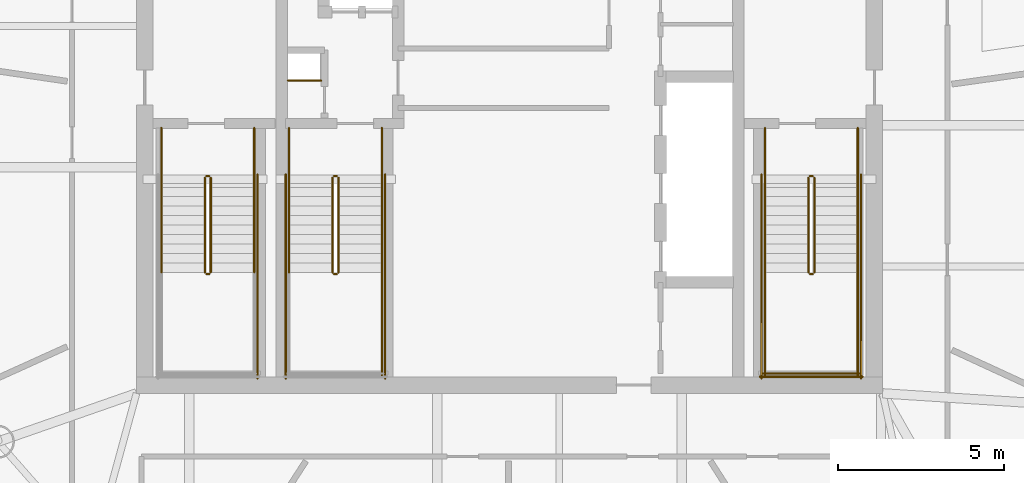
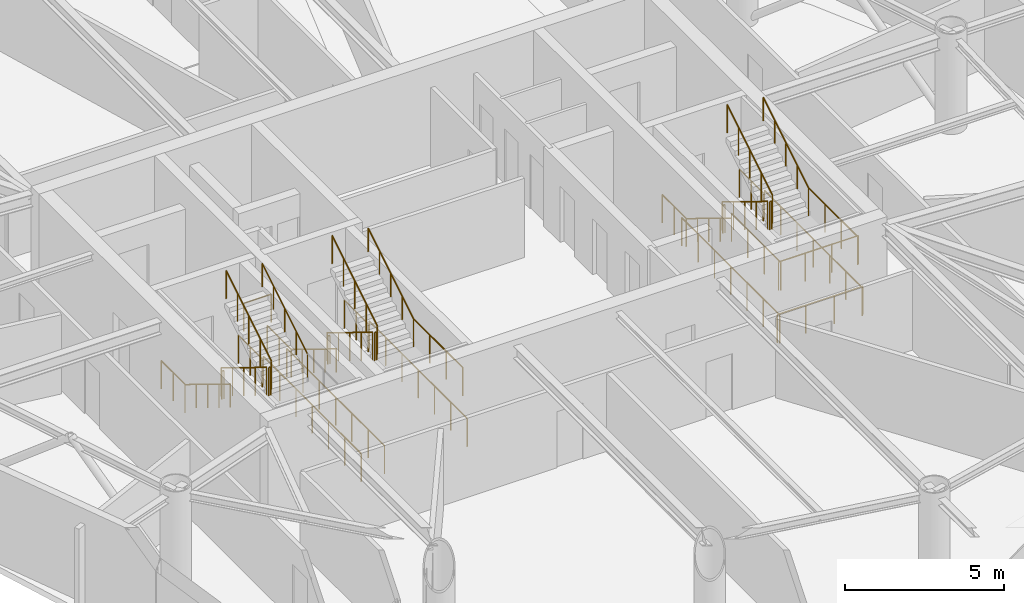
# One storey, part 19 of 20: 35 railings.
"""IFC4 building model written with IfcOpenShell, lengths in metres."""

from ifc_helpers import new_model, si_unit, direction, frame, origin, origin_2d, place, context, subcontext, project, spatial, circle, extrude, material, type_object, element, save


model = new_model("IFC4")

# Units and contexts
model_context = context("Model", 3, precision=1e-05, world=origin(), true_north=direction((0.0, 1.0)))
body_context = subcontext(model_context, "Body", "Model", "MODEL_VIEW")
ifc_project = project(units=[si_unit("LENGTHUNIT", "METRE"), si_unit("AREAUNIT", "SQUARE_METRE"), si_unit("VOLUMEUNIT", "CUBIC_METRE"), si_unit("PLANEANGLEUNIT", "RADIAN"), si_unit("MASSUNIT", "GRAM", prefix="KILO")], contexts=[model_context])

# Site, building, storey
site_placement = place(None, origin())
site = spatial("IfcSite", under=ifc_project, at=site_placement, CompositionType="ELEMENT")
building_placement = place(site_placement, origin())
building = spatial("IfcBuilding", under=site, at=building_placement, Name="Bramvorn Convention Spire", CompositionType="ELEMENT")
storey_placement = place(building_placement, frame((0.0, 0.0, 276.699951171875)))
storey = spatial("IfcBuildingStorey", under=building, at=storey_placement, Name="L70", CompositionType="ELEMENT", Elevation=276.699951171875)

# Railings
ifc_material_1 = material(Name="Painted Steel Balustrade & Guardrail", Category="steel")
railing_type_1 = type_object("IfcRailingType", Name="RL-STAIR-GUARD-1100", PredefinedType="GUARDRAIL", material=ifc_material_1)
railing_1_placement = place(storey_placement, frame((28.81005859375, 25.050048828125, 0.175048828125)))
element("IfcRailing", 1, at=railing_1_placement, inside=storey, type_object=railing_type_1, Name="L70 ST1 stair guard 1", PredefinedType="GUARDRAIL", context=body_context, shape_type="SweptSolid", body=[
    extrude(circle(Radius=0.02392578125, at=origin_2d()), frame((0.0, 0.0, 1.076171875), z_axis=(0.0, -0.852179220489, 0.52325001306), x_axis=(1.0, 0.0, 0.0)), (0.0, 0.0, 1.0), 3.344482421875),
    extrude(circle(Radius=0.02099609375, at=origin_2d()), origin(), (0.0, 0.0, 1.0), 1.052001953125),
    extrude(circle(Radius=0.02099609375, at=origin_2d()), frame((0.0, -0.71240234375, 0.4375)), (0.0, 0.0, 1.0), 1.052001953125),
    extrude(circle(Radius=0.02099609375, at=origin_2d()), frame((0.0, -1.425048828125, 0.875)), (0.0, 0.0, 1.0), 1.052001953125),
    extrude(circle(Radius=0.02099609375, at=origin_2d()), frame((0.0, -2.1376953125, 1.3125)), (0.0, 0.0, 1.0), 1.052001953125),
    extrude(circle(Radius=0.02099609375, at=origin_2d()), frame((0.0, -2.85009765625, 1.75)), (0.0, 0.0, 1.0), 1.052001953125),
])
railing_2_placement = place(storey_placement, frame((28.860107421875, 22.14990234375, 1.925048828125)))
element("IfcRailing", 2, at=railing_2_placement, inside=storey, type_object=railing_type_1, Name="L70 ST1 stair guard 2", PredefinedType="GUARDRAIL", context=body_context, shape_type="SweptSolid", body=[
    extrude(circle(Radius=0.02392578125, at=origin_2d()), frame((0.0, 0.0, 1.076171875), z_axis=(1.0, 0.0, 0.0), x_axis=(0.0, 1.0, 0.0)), (0.0, 0.0, 1.0), 0.079833984375),
    extrude(circle(Radius=0.02099609375, at=origin_2d()), origin(), (0.0, 0.0, 1.0), 1.052001953125),
    extrude(circle(Radius=0.02099609375, at=origin_2d()), frame((0.079833984375, 0.0, 0.0)), (0.0, 0.0, 1.0), 1.052001953125),
])
railing_3_placement = place(storey_placement, frame((28.989990234375, 22.199951171875, 2.10009765625)))
element("IfcRailing", 3, at=railing_3_placement, inside=storey, type_object=railing_type_1, Name="L70 ST1 stair guard 6", PredefinedType="GUARDRAIL", context=body_context, shape_type="SweptSolid", body=[
    extrude(circle(Radius=0.02392578125, at=origin_2d()), frame((0.0, 0.0, 1.076171875), z_axis=(0.0, 0.852179220489, 0.52325001306), x_axis=(-1.0, 0.0, 0.0)), (0.0, 0.0, 1.0), 3.344482421875),
    extrude(circle(Radius=0.02099609375, at=origin_2d()), origin(), (0.0, 0.0, 1.0), 1.052001953125),
    extrude(circle(Radius=0.02099609375, at=origin_2d()), frame((0.0, 0.71240234375, 0.4375)), (0.0, 0.0, 1.0), 1.052001953125),
    extrude(circle(Radius=0.02099609375, at=origin_2d()), frame((0.0, 1.425048828125, 0.875)), (0.0, 0.0, 1.0), 1.052001953125),
    extrude(circle(Radius=0.02099609375, at=origin_2d()), frame((0.0, 2.1376953125, 1.3125)), (0.0, 0.0, 1.0), 1.052001953125),
    extrude(circle(Radius=0.02099609375, at=origin_2d()), frame((0.0, 2.85009765625, 1.75)), (0.0, 0.0, 1.0), 1.052001953125),
])
railing_4_placement = place(storey_placement, frame((28.860107421875, 25.10009765625, 0.0)))
element("IfcRailing", 4, at=railing_4_placement, inside=storey, type_object=railing_type_1, Name="L70 ST1 stair guard 7", PredefinedType="GUARDRAIL", context=body_context, shape_type="SweptSolid", body=[
    extrude(circle(Radius=0.02392578125, at=origin_2d()), frame((0.0, 0.0, 1.076171875), z_axis=(1.0, 0.0, 0.0), x_axis=(0.0, 1.0, 0.0)), (0.0, 0.0, 1.0), 0.079833984375),
    extrude(circle(Radius=0.02099609375, at=origin_2d()), origin(), (0.0, 0.0, 1.0), 1.052001953125),
    extrude(circle(Radius=0.02099609375, at=origin_2d()), frame((0.079833984375, 0.0, 0.0)), (0.0, 0.0, 1.0), 1.052001953125),
])
for number, where, name in (
    (5, (27.5, 26.550048828125, 0.0), "L70 ST1 stair guard 8"),
    (6, (30.300048828125, 26.550048828125, 0.0), "L70 ST1 stair guard 9"),
):
    element("IfcRailing", number, at=place(storey_placement, frame(where)), inside=storey, type_object=railing_type_1, Name=name, PredefinedType="GUARDRAIL", context=body_context, shape_type="SweptSolid", body=[
        extrude(circle(Radius=0.02392578125, at=origin_2d()), frame((0.0, 0.0, 1.076171875), z_axis=(0.0, -1.0, 0.0), x_axis=(1.0, 0.0, 0.0)), (0.0, 0.0, 1.0), 1.5),
        extrude(circle(Radius=0.02099609375, at=origin_2d()), origin(), (0.0, 0.0, 1.0), 1.052001953125),
        extrude(circle(Radius=0.02099609375, at=origin_2d()), frame((0.0, -0.75, 0.0)), (0.0, 0.0, 1.0), 1.052001953125),
        extrude(circle(Radius=0.02099609375, at=origin_2d()), frame((0.0, -1.5, 0.0)), (0.0, 0.0, 1.0), 1.052001953125),
    ])
railing_5_placement = place(storey_placement, frame((30.39990234375, 25.14990234375, 0.0)))
element("IfcRailing", 7, at=railing_5_placement, inside=storey, type_object=railing_type_1, Name="L70 ST1 stair guard 11", PredefinedType="GUARDRAIL", context=body_context, shape_type="SweptSolid", body=[
    extrude(circle(Radius=0.02392578125, at=origin_2d()), frame((0.0, 0.0, 1.076171875), z_axis=(0.0, -1.0, 0.0), x_axis=(1.0, 0.0, 0.0)), (0.0, 0.0, 1.0), 6.14990234375),
    extrude(circle(Radius=0.02099609375, at=origin_2d()), origin(), (0.0, 0.0, 1.0), 1.052001953125),
    extrude(circle(Radius=0.02099609375, at=origin_2d()), frame((0.0, -1.02490234375, 0.0)), (0.0, 0.0, 1.0), 1.052001953125),
    extrude(circle(Radius=0.02099609375, at=origin_2d()), frame((0.0, -2.050048828125, 0.0)), (0.0, 0.0, 1.0), 1.052001953125),
    extrude(circle(Radius=0.02099609375, at=origin_2d()), frame((0.0, -3.074951171875, 0.0)), (0.0, 0.0, 1.0), 1.052001953125),
    extrude(circle(Radius=0.02099609375, at=origin_2d()), frame((0.0, -4.099853515625, 0.0)), (0.0, 0.0, 1.0), 1.052001953125),
    extrude(circle(Radius=0.02099609375, at=origin_2d()), frame((0.0, -5.125, 0.0)), (0.0, 0.0, 1.0), 1.052001953125),
    extrude(circle(Radius=0.02099609375, at=origin_2d()), frame((0.0, -6.14990234375, 0.0)), (0.0, 0.0, 1.0), 1.052001953125),
])
railing_6_placement = place(storey_placement, frame((47.010009765625, 25.050048828125, 0.175048828125)))
element("IfcRailing", 8, at=railing_6_placement, inside=storey, type_object=railing_type_1, Name="L70 ST2 stair guard 1", PredefinedType="GUARDRAIL", context=body_context, shape_type="SweptSolid", body=[
    extrude(circle(Radius=0.02392578125, at=origin_2d()), frame((0.0, 0.0, 1.076171875), z_axis=(0.0, -0.852179220489, 0.52325001306), x_axis=(1.0, 0.0, 0.0)), (0.0, 0.0, 1.0), 3.344482421875),
    extrude(circle(Radius=0.02099609375, at=origin_2d()), origin(), (0.0, 0.0, 1.0), 1.052001953125),
    extrude(circle(Radius=0.02099609375, at=origin_2d()), frame((0.0, -0.71240234375, 0.4375)), (0.0, 0.0, 1.0), 1.052001953125),
    extrude(circle(Radius=0.02099609375, at=origin_2d()), frame((0.0, -1.425048828125, 0.875)), (0.0, 0.0, 1.0), 1.052001953125),
    extrude(circle(Radius=0.02099609375, at=origin_2d()), frame((0.0, -2.1376953125, 1.3125)), (0.0, 0.0, 1.0), 1.052001953125),
    extrude(circle(Radius=0.02099609375, at=origin_2d()), frame((0.0, -2.85009765625, 1.75)), (0.0, 0.0, 1.0), 1.052001953125),
])
railing_7_placement = place(storey_placement, frame((47.06005859375, 22.14990234375, 1.925048828125)))
element("IfcRailing", 9, at=railing_7_placement, inside=storey, type_object=railing_type_1, Name="L70 ST2 stair guard 2", PredefinedType="GUARDRAIL", context=body_context, shape_type="SweptSolid", body=[
    extrude(circle(Radius=0.02392578125, at=origin_2d()), frame((0.0, 0.0, 1.076171875), z_axis=(1.0, 0.0, 0.0), x_axis=(0.0, 1.0, 0.0)), (0.0, 0.0, 1.0), 0.079833984375),
    extrude(circle(Radius=0.02099609375, at=origin_2d()), origin(), (0.0, 0.0, 1.0), 1.052001953125),
    extrude(circle(Radius=0.02099609375, at=origin_2d()), frame((0.079833984375, 0.0, 0.0)), (0.0, 0.0, 1.0), 1.052001953125),
])
for number, where, name in (
    (10, (45.699951171875, 22.199951171875, 1.925048828125), "L70 ST2 stair guard 3"),
    (11, (48.5, 22.199951171875, 1.925048828125), "L70 ST2 stair guard 4"),
):
    element("IfcRailing", number, at=place(storey_placement, frame(where)), inside=storey, type_object=railing_type_1, Name=name, PredefinedType="GUARDRAIL", context=body_context, shape_type="SweptSolid", body=[
        extrude(circle(Radius=0.02392578125, at=origin_2d()), frame((0.0, 0.0, 1.076171875), z_axis=(0.0, -1.0, 0.0), x_axis=(1.0, 0.0, 0.0)), (0.0, 0.0, 1.0), 3.099853515625),
        extrude(circle(Radius=0.02099609375, at=origin_2d()), origin(), (0.0, 0.0, 1.0), 1.052001953125),
        extrude(circle(Radius=0.02099609375, at=origin_2d()), frame((0.0, -1.033203125, 0.0)), (0.0, 0.0, 1.0), 1.052001953125),
        extrude(circle(Radius=0.02099609375, at=origin_2d()), frame((0.0, -2.066650390625, 0.0)), (0.0, 0.0, 1.0), 1.052001953125),
        extrude(circle(Radius=0.02099609375, at=origin_2d()), frame((0.0, -3.099853515625, 0.0)), (0.0, 0.0, 1.0), 1.052001953125),
    ])
railing_8_placement = place(storey_placement, frame((45.64990234375, 19.14990234375, 1.925048828125)))
element("IfcRailing", 12, at=railing_8_placement, inside=storey, type_object=railing_type_1, Name="L70 ST2 stair guard 5", PredefinedType="GUARDRAIL", context=body_context, shape_type="SweptSolid", body=[
    extrude(circle(Radius=0.02392578125, at=origin_2d()), frame((0.0, 0.0, 1.076171875), z_axis=(1.0, 0.0, 0.0), x_axis=(0.0, 1.0, 0.0)), (0.0, 0.0, 1.0), 2.900146484375),
    extrude(circle(Radius=0.02099609375, at=origin_2d()), origin(), (0.0, 0.0, 1.0), 1.052001953125),
    extrude(circle(Radius=0.02099609375, at=origin_2d()), frame((0.966796875, 0.0, 0.0)), (0.0, 0.0, 1.0), 1.052001953125),
    extrude(circle(Radius=0.02099609375, at=origin_2d()), frame((1.933349609375, 0.0, 0.0)), (0.0, 0.0, 1.0), 1.052001953125),
    extrude(circle(Radius=0.02099609375, at=origin_2d()), frame((2.900146484375, 0.0, 0.0)), (0.0, 0.0, 1.0), 1.052001953125),
])
railing_9_placement = place(storey_placement, frame((47.18994140625, 22.199951171875, 2.10009765625)))
element("IfcRailing", 13, at=railing_9_placement, inside=storey, type_object=railing_type_1, Name="L70 ST2 stair guard 6", PredefinedType="GUARDRAIL", context=body_context, shape_type="SweptSolid", body=[
    extrude(circle(Radius=0.02392578125, at=origin_2d()), frame((0.0, 0.0, 1.076171875), z_axis=(0.0, 0.852179220489, 0.52325001306), x_axis=(-1.0, 0.0, 0.0)), (0.0, 0.0, 1.0), 3.344482421875),
    extrude(circle(Radius=0.02099609375, at=origin_2d()), origin(), (0.0, 0.0, 1.0), 1.052001953125),
    extrude(circle(Radius=0.02099609375, at=origin_2d()), frame((0.0, 0.71240234375, 0.4375)), (0.0, 0.0, 1.0), 1.052001953125),
    extrude(circle(Radius=0.02099609375, at=origin_2d()), frame((0.0, 1.425048828125, 0.875)), (0.0, 0.0, 1.0), 1.052001953125),
    extrude(circle(Radius=0.02099609375, at=origin_2d()), frame((0.0, 2.1376953125, 1.3125)), (0.0, 0.0, 1.0), 1.052001953125),
    extrude(circle(Radius=0.02099609375, at=origin_2d()), frame((0.0, 2.85009765625, 1.75)), (0.0, 0.0, 1.0), 1.052001953125),
])
railing_10_placement = place(storey_placement, frame((47.06005859375, 25.10009765625, 0.0)))
element("IfcRailing", 14, at=railing_10_placement, inside=storey, type_object=railing_type_1, Name="L70 ST2 stair guard 7", PredefinedType="GUARDRAIL", context=body_context, shape_type="SweptSolid", body=[
    extrude(circle(Radius=0.02392578125, at=origin_2d()), frame((0.0, 0.0, 1.076171875), z_axis=(1.0, 0.0, 0.0), x_axis=(0.0, 1.0, 0.0)), (0.0, 0.0, 1.0), 0.079833984375),
    extrude(circle(Radius=0.02099609375, at=origin_2d()), origin(), (0.0, 0.0, 1.0), 1.052001953125),
    extrude(circle(Radius=0.02099609375, at=origin_2d()), frame((0.079833984375, 0.0, 0.0)), (0.0, 0.0, 1.0), 1.052001953125),
])
for number, where, name in (
    (15, (45.699951171875, 26.550048828125, 0.0), "L70 ST2 stair guard 8"),
    (16, (48.5, 26.550048828125, 0.0), "L70 ST2 stair guard 9"),
):
    element("IfcRailing", number, at=place(storey_placement, frame(where)), inside=storey, type_object=railing_type_1, Name=name, PredefinedType="GUARDRAIL", context=body_context, shape_type="SweptSolid", body=[
        extrude(circle(Radius=0.02392578125, at=origin_2d()), frame((0.0, 0.0, 1.076171875), z_axis=(0.0, -1.0, 0.0), x_axis=(1.0, 0.0, 0.0)), (0.0, 0.0, 1.0), 1.5),
        extrude(circle(Radius=0.02099609375, at=origin_2d()), origin(), (0.0, 0.0, 1.0), 1.052001953125),
        extrude(circle(Radius=0.02099609375, at=origin_2d()), frame((0.0, -0.75, 0.0)), (0.0, 0.0, 1.0), 1.052001953125),
        extrude(circle(Radius=0.02099609375, at=origin_2d()), frame((0.0, -1.5, 0.0)), (0.0, 0.0, 1.0), 1.052001953125),
    ])
for number, where, name in (
    (17, (45.60009765625, 25.14990234375, 0.0), "L70 ST2 stair guard 10"),
    (18, (48.60009765625, 25.14990234375, 0.0), "L70 ST2 stair guard 11"),
):
    element("IfcRailing", number, at=place(storey_placement, frame(where)), inside=storey, type_object=railing_type_1, Name=name, PredefinedType="GUARDRAIL", context=body_context, shape_type="SweptSolid", body=[
        extrude(circle(Radius=0.02392578125, at=origin_2d()), frame((0.0, 0.0, 1.076171875), z_axis=(0.0, -1.0, 0.0), x_axis=(1.0, 0.0, 0.0)), (0.0, 0.0, 1.0), 6.14990234375),
        extrude(circle(Radius=0.02099609375, at=origin_2d()), origin(), (0.0, 0.0, 1.0), 1.052001953125),
        extrude(circle(Radius=0.02099609375, at=origin_2d()), frame((0.0, -1.02490234375, 0.0)), (0.0, 0.0, 1.0), 1.052001953125),
        extrude(circle(Radius=0.02099609375, at=origin_2d()), frame((0.0, -2.050048828125, 0.0)), (0.0, 0.0, 1.0), 1.052001953125),
        extrude(circle(Radius=0.02099609375, at=origin_2d()), frame((0.0, -3.074951171875, 0.0)), (0.0, 0.0, 1.0), 1.052001953125),
        extrude(circle(Radius=0.02099609375, at=origin_2d()), frame((0.0, -4.099853515625, 0.0)), (0.0, 0.0, 1.0), 1.052001953125),
        extrude(circle(Radius=0.02099609375, at=origin_2d()), frame((0.0, -5.125, 0.0)), (0.0, 0.0, 1.0), 1.052001953125),
        extrude(circle(Radius=0.02099609375, at=origin_2d()), frame((0.0, -6.14990234375, 0.0)), (0.0, 0.0, 1.0), 1.052001953125),
    ])
railing_11_placement = place(storey_placement, frame((45.550048828125, 19.050048828125, 0.0)))
element("IfcRailing", 19, at=railing_11_placement, inside=storey, type_object=railing_type_1, Name="L70 ST2 stair guard 12", PredefinedType="GUARDRAIL", context=body_context, shape_type="SweptSolid", body=[
    extrude(circle(Radius=0.02392578125, at=origin_2d()), frame((0.0, 0.0, 1.076171875), z_axis=(1.0, 0.0, 0.0), x_axis=(0.0, 1.0, 0.0)), (0.0, 0.0, 1.0), 3.099853515625),
    extrude(circle(Radius=0.02099609375, at=origin_2d()), origin(), (0.0, 0.0, 1.0), 1.052001953125),
    extrude(circle(Radius=0.02099609375, at=origin_2d()), frame((1.033203125, 0.0, 0.0)), (0.0, 0.0, 1.0), 1.052001953125),
    extrude(circle(Radius=0.02099609375, at=origin_2d()), frame((2.066650390625, 0.0, 0.0)), (0.0, 0.0, 1.0), 1.052001953125),
    extrude(circle(Radius=0.02099609375, at=origin_2d()), frame((3.099853515625, 0.0, 0.0)), (0.0, 0.0, 1.0), 1.052001953125),
])
railing_12_placement = place(storey_placement, frame((32.659912109375, 25.050048828125, 0.175048828125)))
element("IfcRailing", 20, at=railing_12_placement, inside=storey, type_object=railing_type_1, Name="L70 ST3 stair guard 1", PredefinedType="GUARDRAIL", context=body_context, shape_type="SweptSolid", body=[
    extrude(circle(Radius=0.02392578125, at=origin_2d()), frame((0.0, 0.0, 1.076171875), z_axis=(0.0, -0.852179220489, 0.52325001306), x_axis=(1.0, 0.0, 0.0)), (0.0, 0.0, 1.0), 3.344482421875),
    extrude(circle(Radius=0.02099609375, at=origin_2d()), origin(), (0.0, 0.0, 1.0), 1.052001953125),
    extrude(circle(Radius=0.02099609375, at=origin_2d()), frame((0.0, -0.71240234375, 0.4375)), (0.0, 0.0, 1.0), 1.052001953125),
    extrude(circle(Radius=0.02099609375, at=origin_2d()), frame((0.0, -1.425048828125, 0.875)), (0.0, 0.0, 1.0), 1.052001953125),
    extrude(circle(Radius=0.02099609375, at=origin_2d()), frame((0.0, -2.1376953125, 1.3125)), (0.0, 0.0, 1.0), 1.052001953125),
    extrude(circle(Radius=0.02099609375, at=origin_2d()), frame((0.0, -2.85009765625, 1.75)), (0.0, 0.0, 1.0), 1.052001953125),
])
railing_13_placement = place(storey_placement, frame((32.7099609375, 22.14990234375, 1.925048828125)))
element("IfcRailing", 21, at=railing_13_placement, inside=storey, type_object=railing_type_1, Name="L70 ST3 stair guard 2", PredefinedType="GUARDRAIL", context=body_context, shape_type="SweptSolid", body=[
    extrude(circle(Radius=0.02392578125, at=origin_2d()), frame((0.0, 0.0, 1.076171875), z_axis=(1.0, 0.0, 0.0), x_axis=(0.0, 1.0, 0.0)), (0.0, 0.0, 1.0), 0.080078125),
    extrude(circle(Radius=0.02099609375, at=origin_2d()), origin(), (0.0, 0.0, 1.0), 1.052001953125),
    extrude(circle(Radius=0.02099609375, at=origin_2d()), frame((0.080078125, 0.0, 0.0)), (0.0, 0.0, 1.0), 1.052001953125),
])
railing_14_placement = place(storey_placement, frame((34.14990234375, 22.199951171875, 1.925048828125)))
element("IfcRailing", 22, at=railing_14_placement, inside=storey, type_object=railing_type_1, Name="L70 ST3 stair guard 4", PredefinedType="GUARDRAIL", context=body_context, shape_type="SweptSolid", body=[
    extrude(circle(Radius=0.02392578125, at=origin_2d()), frame((0.0, 0.0, 1.076171875), z_axis=(0.0, -1.0, 0.0), x_axis=(1.0, 0.0, 0.0)), (0.0, 0.0, 1.0), 3.099853515625),
    extrude(circle(Radius=0.02099609375, at=origin_2d()), origin(), (0.0, 0.0, 1.0), 1.052001953125),
    extrude(circle(Radius=0.02099609375, at=origin_2d()), frame((0.0, -1.033203125, 0.0)), (0.0, 0.0, 1.0), 1.052001953125),
    extrude(circle(Radius=0.02099609375, at=origin_2d()), frame((0.0, -2.066650390625, 0.0)), (0.0, 0.0, 1.0), 1.052001953125),
    extrude(circle(Radius=0.02099609375, at=origin_2d()), frame((0.0, -3.099853515625, 0.0)), (0.0, 0.0, 1.0), 1.052001953125),
])
railing_15_placement = place(storey_placement, frame((32.840087890625, 22.199951171875, 2.10009765625)))
element("IfcRailing", 23, at=railing_15_placement, inside=storey, type_object=railing_type_1, Name="L70 ST3 stair guard 6", PredefinedType="GUARDRAIL", context=body_context, shape_type="SweptSolid", body=[
    extrude(circle(Radius=0.02392578125, at=origin_2d()), frame((0.0, 0.0, 1.076171875), z_axis=(0.0, 0.852179220489, 0.52325001306), x_axis=(-1.0, 0.0, 0.0)), (0.0, 0.0, 1.0), 3.344482421875),
    extrude(circle(Radius=0.02099609375, at=origin_2d()), origin(), (0.0, 0.0, 1.0), 1.052001953125),
    extrude(circle(Radius=0.02099609375, at=origin_2d()), frame((0.0, 0.71240234375, 0.4375)), (0.0, 0.0, 1.0), 1.052001953125),
    extrude(circle(Radius=0.02099609375, at=origin_2d()), frame((0.0, 1.425048828125, 0.875)), (0.0, 0.0, 1.0), 1.052001953125),
    extrude(circle(Radius=0.02099609375, at=origin_2d()), frame((0.0, 2.1376953125, 1.3125)), (0.0, 0.0, 1.0), 1.052001953125),
    extrude(circle(Radius=0.02099609375, at=origin_2d()), frame((0.0, 2.85009765625, 1.75)), (0.0, 0.0, 1.0), 1.052001953125),
])
railing_16_placement = place(storey_placement, frame((32.7099609375, 25.10009765625, 0.0)))
element("IfcRailing", 24, at=railing_16_placement, inside=storey, type_object=railing_type_1, Name="L70 ST3 stair guard 7", PredefinedType="GUARDRAIL", context=body_context, shape_type="SweptSolid", body=[
    extrude(circle(Radius=0.02392578125, at=origin_2d()), frame((0.0, 0.0, 1.076171875), z_axis=(1.0, 0.0, 0.0), x_axis=(0.0, 1.0, 0.0)), (0.0, 0.0, 1.0), 0.080078125),
    extrude(circle(Radius=0.02099609375, at=origin_2d()), origin(), (0.0, 0.0, 1.0), 1.052001953125),
    extrude(circle(Radius=0.02099609375, at=origin_2d()), frame((0.080078125, 0.0, 0.0)), (0.0, 0.0, 1.0), 1.052001953125),
])
for number, where, name in (
    (25, (31.35009765625, 26.550048828125, 0.0), "L70 ST3 stair guard 8"),
    (26, (34.14990234375, 26.550048828125, 0.0), "L70 ST3 stair guard 9"),
):
    element("IfcRailing", number, at=place(storey_placement, frame(where)), inside=storey, type_object=railing_type_1, Name=name, PredefinedType="GUARDRAIL", context=body_context, shape_type="SweptSolid", body=[
        extrude(circle(Radius=0.02392578125, at=origin_2d()), frame((0.0, 0.0, 1.076171875), z_axis=(0.0, -1.0, 0.0), x_axis=(1.0, 0.0, 0.0)), (0.0, 0.0, 1.0), 1.5),
        extrude(circle(Radius=0.02099609375, at=origin_2d()), origin(), (0.0, 0.0, 1.0), 1.052001953125),
        extrude(circle(Radius=0.02099609375, at=origin_2d()), frame((0.0, -0.75, 0.0)), (0.0, 0.0, 1.0), 1.052001953125),
        extrude(circle(Radius=0.02099609375, at=origin_2d()), frame((0.0, -1.5, 0.0)), (0.0, 0.0, 1.0), 1.052001953125),
    ])
for number, where, name in (
    (27, (31.25, 25.14990234375, 0.0), "L70 ST3 stair guard 10"),
    (28, (34.25, 25.14990234375, 0.0), "L70 ST3 stair guard 11"),
):
    element("IfcRailing", number, at=place(storey_placement, frame(where)), inside=storey, type_object=railing_type_1, Name=name, PredefinedType="GUARDRAIL", context=body_context, shape_type="SweptSolid", body=[
        extrude(circle(Radius=0.02392578125, at=origin_2d()), frame((0.0, 0.0, 1.076171875), z_axis=(0.0, -1.0, 0.0), x_axis=(1.0, 0.0, 0.0)), (0.0, 0.0, 1.0), 6.14990234375),
        extrude(circle(Radius=0.02099609375, at=origin_2d()), origin(), (0.0, 0.0, 1.0), 1.052001953125),
        extrude(circle(Radius=0.02099609375, at=origin_2d()), frame((0.0, -1.02490234375, 0.0)), (0.0, 0.0, 1.0), 1.052001953125),
        extrude(circle(Radius=0.02099609375, at=origin_2d()), frame((0.0, -2.050048828125, 0.0)), (0.0, 0.0, 1.0), 1.052001953125),
        extrude(circle(Radius=0.02099609375, at=origin_2d()), frame((0.0, -3.074951171875, 0.0)), (0.0, 0.0, 1.0), 1.052001953125),
        extrude(circle(Radius=0.02099609375, at=origin_2d()), frame((0.0, -4.099853515625, 0.0)), (0.0, 0.0, 1.0), 1.052001953125),
        extrude(circle(Radius=0.02099609375, at=origin_2d()), frame((0.0, -5.125, 0.0)), (0.0, 0.0, 1.0), 1.052001953125),
        extrude(circle(Radius=0.02099609375, at=origin_2d()), frame((0.0, -6.14990234375, 0.0)), (0.0, 0.0, 1.0), 1.052001953125),
    ])
railing_17_placement = place(storey_placement, frame((31.320068359375, 27.97998046875, 0.0)))
element("IfcRailing", 29, at=railing_17_placement, inside=storey, type_object=railing_type_1, Name="L70 Telecom riser shaft opening safety guardrail", PredefinedType="GUARDRAIL", context=body_context, shape_type="SweptSolid", body=[
    extrude(circle(Radius=0.02392578125, at=origin_2d()), frame((0.0, 0.0, 1.076171875), z_axis=(1.0, 0.0, 0.0), x_axis=(0.0, 1.0, 0.0)), (0.0, 0.0, 1.0), 1.0),
    extrude(circle(Radius=0.02099609375, at=origin_2d()), origin(), (0.0, 0.0, 1.0), 1.052001953125),
    extrude(circle(Radius=0.02099609375, at=origin_2d()), frame((1.0, 0.0, 0.0)), (0.0, 0.0, 1.0), 1.052001953125),
])
ifc_material_2 = material(Name="Brushed Bronze Tubular Handrail", Category="aluminium")
railing_type_2 = type_object("IfcRailingType", Name="RL-STAIR-HR-920", PredefinedType="HANDRAIL", material=ifc_material_2)
railing_18_placement = place(storey_placement, frame((27.5, 25.050048828125, 0.175048828125)))
element("IfcRailing", 30, at=railing_18_placement, inside=storey, type_object=railing_type_2, Name="L70 ST1 stair handrail 1", PredefinedType="HANDRAIL", context=body_context, shape_type="SweptSolid", body=[
    extrude(circle(Radius=0.02392578125, at=origin_2d()), frame((0.0, 0.0, 0.89599609375), z_axis=(0.0, -0.852179220489, 0.52325001306), x_axis=(1.0, 0.0, 0.0)), (0.0, 0.0, 1.0), 3.344482421875),
    extrude(circle(Radius=0.02099609375, at=origin_2d()), origin(), (0.0, 0.0, 1.0), 0.871826171875),
    extrude(circle(Radius=0.02099609375, at=origin_2d()), frame((0.0, -0.71240234375, 0.4375)), (0.0, 0.0, 1.0), 0.871826171875),
    extrude(circle(Radius=0.02099609375, at=origin_2d()), frame((0.0, -1.425048828125, 0.875)), (0.0, 0.0, 1.0), 0.871826171875),
    extrude(circle(Radius=0.02099609375, at=origin_2d()), frame((0.0, -2.1376953125, 1.3125)), (0.0, 0.0, 1.0), 0.871826171875),
    extrude(circle(Radius=0.02099609375, at=origin_2d()), frame((0.0, -2.85009765625, 1.75)), (0.0, 0.0, 1.0), 0.871826171875),
])
railing_19_placement = place(storey_placement, frame((30.300048828125, 22.199951171875, 2.10009765625)))
element("IfcRailing", 31, at=railing_19_placement, inside=storey, type_object=railing_type_2, Name="L70 ST1 stair handrail 2", PredefinedType="HANDRAIL", context=body_context, shape_type="SweptSolid", body=[
    extrude(circle(Radius=0.02392578125, at=origin_2d()), frame((0.0, 0.0, 0.89599609375), z_axis=(0.0, 0.852179220489, 0.52325001306), x_axis=(-1.0, 0.0, 0.0)), (0.0, 0.0, 1.0), 3.344482421875),
    extrude(circle(Radius=0.02099609375, at=origin_2d()), origin(), (0.0, 0.0, 1.0), 0.871826171875),
    extrude(circle(Radius=0.02099609375, at=origin_2d()), frame((0.0, 0.71240234375, 0.4375)), (0.0, 0.0, 1.0), 0.871826171875),
    extrude(circle(Radius=0.02099609375, at=origin_2d()), frame((0.0, 1.425048828125, 0.875)), (0.0, 0.0, 1.0), 0.871826171875),
    extrude(circle(Radius=0.02099609375, at=origin_2d()), frame((0.0, 2.1376953125, 1.3125)), (0.0, 0.0, 1.0), 0.871826171875),
    extrude(circle(Radius=0.02099609375, at=origin_2d()), frame((0.0, 2.85009765625, 1.75)), (0.0, 0.0, 1.0), 0.871826171875),
])
railing_20_placement = place(storey_placement, frame((45.699951171875, 25.050048828125, 0.175048828125)))
element("IfcRailing", 32, at=railing_20_placement, inside=storey, type_object=railing_type_2, Name="L70 ST2 stair handrail 1", PredefinedType="HANDRAIL", context=body_context, shape_type="SweptSolid", body=[
    extrude(circle(Radius=0.02392578125, at=origin_2d()), frame((0.0, 0.0, 0.89599609375), z_axis=(0.0, -0.852179220489, 0.52325001306), x_axis=(1.0, 0.0, 0.0)), (0.0, 0.0, 1.0), 3.344482421875),
    extrude(circle(Radius=0.02099609375, at=origin_2d()), origin(), (0.0, 0.0, 1.0), 0.871826171875),
    extrude(circle(Radius=0.02099609375, at=origin_2d()), frame((0.0, -0.71240234375, 0.4375)), (0.0, 0.0, 1.0), 0.871826171875),
    extrude(circle(Radius=0.02099609375, at=origin_2d()), frame((0.0, -1.425048828125, 0.875)), (0.0, 0.0, 1.0), 0.871826171875),
    extrude(circle(Radius=0.02099609375, at=origin_2d()), frame((0.0, -2.1376953125, 1.3125)), (0.0, 0.0, 1.0), 0.871826171875),
    extrude(circle(Radius=0.02099609375, at=origin_2d()), frame((0.0, -2.85009765625, 1.75)), (0.0, 0.0, 1.0), 0.871826171875),
])
railing_21_placement = place(storey_placement, frame((48.5, 22.199951171875, 2.10009765625)))
element("IfcRailing", 33, at=railing_21_placement, inside=storey, type_object=railing_type_2, Name="L70 ST2 stair handrail 2", PredefinedType="HANDRAIL", context=body_context, shape_type="SweptSolid", body=[
    extrude(circle(Radius=0.02392578125, at=origin_2d()), frame((0.0, 0.0, 0.89599609375), z_axis=(0.0, 0.852179220489, 0.52325001306), x_axis=(-1.0, 0.0, 0.0)), (0.0, 0.0, 1.0), 3.344482421875),
    extrude(circle(Radius=0.02099609375, at=origin_2d()), origin(), (0.0, 0.0, 1.0), 0.871826171875),
    extrude(circle(Radius=0.02099609375, at=origin_2d()), frame((0.0, 0.71240234375, 0.4375)), (0.0, 0.0, 1.0), 0.871826171875),
    extrude(circle(Radius=0.02099609375, at=origin_2d()), frame((0.0, 1.425048828125, 0.875)), (0.0, 0.0, 1.0), 0.871826171875),
    extrude(circle(Radius=0.02099609375, at=origin_2d()), frame((0.0, 2.1376953125, 1.3125)), (0.0, 0.0, 1.0), 0.871826171875),
    extrude(circle(Radius=0.02099609375, at=origin_2d()), frame((0.0, 2.85009765625, 1.75)), (0.0, 0.0, 1.0), 0.871826171875),
])
railing_22_placement = place(storey_placement, frame((31.35009765625, 25.050048828125, 0.175048828125)))
element("IfcRailing", 34, at=railing_22_placement, inside=storey, type_object=railing_type_2, Name="L70 ST3 stair handrail 1", PredefinedType="HANDRAIL", context=body_context, shape_type="SweptSolid", body=[
    extrude(circle(Radius=0.02392578125, at=origin_2d()), frame((0.0, 0.0, 0.89599609375), z_axis=(0.0, -0.852179220489, 0.52325001306), x_axis=(1.0, 0.0, 0.0)), (0.0, 0.0, 1.0), 3.344482421875),
    extrude(circle(Radius=0.02099609375, at=origin_2d()), origin(), (0.0, 0.0, 1.0), 0.871826171875),
    extrude(circle(Radius=0.02099609375, at=origin_2d()), frame((0.0, -0.71240234375, 0.4375)), (0.0, 0.0, 1.0), 0.871826171875),
    extrude(circle(Radius=0.02099609375, at=origin_2d()), frame((0.0, -1.425048828125, 0.875)), (0.0, 0.0, 1.0), 0.871826171875),
    extrude(circle(Radius=0.02099609375, at=origin_2d()), frame((0.0, -2.1376953125, 1.3125)), (0.0, 0.0, 1.0), 0.871826171875),
    extrude(circle(Radius=0.02099609375, at=origin_2d()), frame((0.0, -2.85009765625, 1.75)), (0.0, 0.0, 1.0), 0.871826171875),
])
railing_23_placement = place(storey_placement, frame((34.14990234375, 22.199951171875, 2.10009765625)))
element("IfcRailing", 35, at=railing_23_placement, inside=storey, type_object=railing_type_2, Name="L70 ST3 stair handrail 2", PredefinedType="HANDRAIL", context=body_context, shape_type="SweptSolid", body=[
    extrude(circle(Radius=0.02392578125, at=origin_2d()), frame((0.0, 0.0, 0.89599609375), z_axis=(0.0, 0.852179220489, 0.52325001306), x_axis=(-1.0, 0.0, 0.0)), (0.0, 0.0, 1.0), 3.344482421875),
    extrude(circle(Radius=0.02099609375, at=origin_2d()), origin(), (0.0, 0.0, 1.0), 0.871826171875),
    extrude(circle(Radius=0.02099609375, at=origin_2d()), frame((0.0, 0.71240234375, 0.4375)), (0.0, 0.0, 1.0), 0.871826171875),
    extrude(circle(Radius=0.02099609375, at=origin_2d()), frame((0.0, 1.425048828125, 0.875)), (0.0, 0.0, 1.0), 0.871826171875),
    extrude(circle(Radius=0.02099609375, at=origin_2d()), frame((0.0, 2.1376953125, 1.3125)), (0.0, 0.0, 1.0), 0.871826171875),
    extrude(circle(Radius=0.02099609375, at=origin_2d()), frame((0.0, 2.85009765625, 1.75)), (0.0, 0.0, 1.0), 0.871826171875),
])

save(model, "model.ifc")
